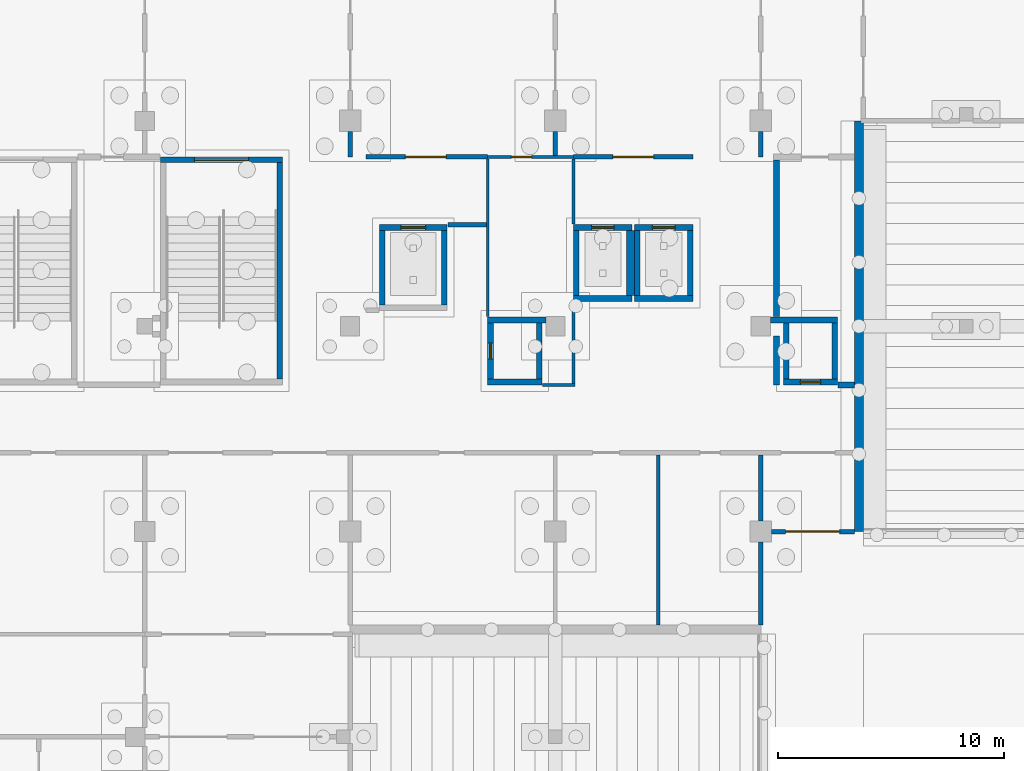
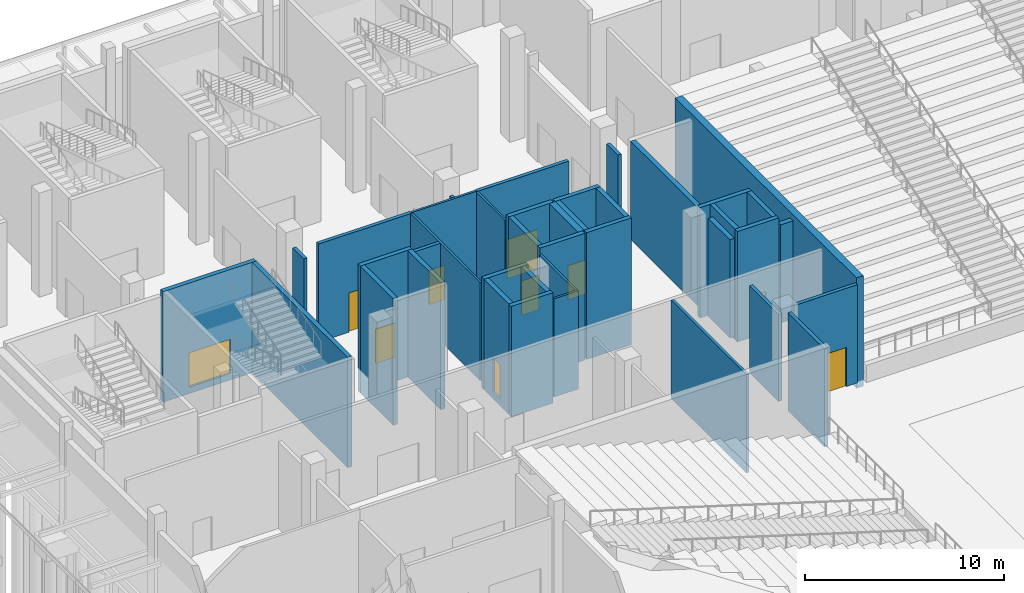
# One storey, part 77 of 129: 40 walls, 10 doors, 10 openings.
"""IFC4 building model written with IfcOpenShell, lengths in metres."""

from ifc_helpers import new_model, si_unit, direction, frame, frame_2d, origin, place, context, subcontext, project, spatial, rectangle, extrude, material, layer, layer_set, type_object, element, fill, save


model = new_model("IFC4")

# Units and contexts
model_context = context("Model", 3, precision=1e-05, world=origin(), true_north=direction((0.0, 1.0)))
body_context = subcontext(model_context, "Body", "Model", "MODEL_VIEW")
ifc_project = project(units=[si_unit("LENGTHUNIT", "METRE"), si_unit("AREAUNIT", "SQUARE_METRE"), si_unit("VOLUMEUNIT", "CUBIC_METRE"), si_unit("PLANEANGLEUNIT", "RADIAN"), si_unit("MASSUNIT", "GRAM", prefix="KILO")], contexts=[model_context])

# Site, building, storey
site_placement = place(None, origin())
site = spatial("IfcSite", under=ifc_project, at=site_placement, CompositionType="ELEMENT")
building_placement = place(site_placement, origin())
building = spatial("IfcBuilding", under=site, at=building_placement, Name="Shirokan Park Arena", CompositionType="ELEMENT")
storey_placement = place(building_placement, origin())
storey = spatial("IfcBuildingStorey", under=building, at=storey_placement, Name="L00", CompositionType="ELEMENT", Elevation=0.0)

# Walls
ifc_material_1 = material(Name="Gypsum board")
ifc_layer_1 = layer(ifc_material_1, 0.02490234375, Name="Gypsum board, two layers")
ifc_material_2 = material(Name="Mineral wool insulation")
ifc_layer_2 = layer(ifc_material_2, 0.14990234375, Name="Mineral wool insulation")
ifc_layer_3 = layer(ifc_material_1, 0.02490234375, Name="Gypsum board, two layers")
ifc_layer_set_1 = layer_set([ifc_layer_1, ifc_layer_2, ifc_layer_3], Name="Gypsum board, two layers + Mineral wool insulation")
wall_type_1 = type_object("IfcWallType", Name="Corridor wall 200", PredefinedType="PARTITIONING", material=ifc_layer_set_1)
wall_1_placement = place(storey_placement, frame((18.199951171875, 90.52490234375, 0.0), z_axis=(0.0, 0.0, 1.0), x_axis=(0.0, -1.0, 0.0)))
element("IfcWall", 1, at=wall_1_placement, inside=storey, type_object=wall_type_1, Name="Corridor wall 200 L00", PredefinedType="PARTITIONING", context=body_context, shape_type="SweptSolid", body=[
    extrude(rectangle(XDim=1.125, YDim=0.199951171875, at=frame_2d((0.5625, 0.0))), origin(), (0.0, 0.0, 1.0), 5.320068359375),
])
wall_2_placement = place(storey_placement, frame((24.237548828125, 86.39990234375, 0.0), z_axis=(0.0, 0.0, 1.0), x_axis=(-1.0, 0.0, 0.0)))
element("IfcWall", 2, at=wall_2_placement, inside=storey, type_object=wall_type_1, Name="Corridor wall 200 L00", PredefinedType="PARTITIONING", context=body_context, shape_type="SweptSolid", body=[
    extrude(rectangle(XDim=1.70751953125, YDim=0.199951171875, at=frame_2d((0.853759765625, 0.0))), origin(), (0.0, 0.0, 1.0), 6.02001953125),
])

# Wall, opening, door
wall_3_placement = place(storey_placement, frame((24.300048828125, 89.39990234375, 0.0), z_axis=(0.0, 0.0, 1.0), x_axis=(-1.0, 0.0, 0.0)))
wall_3 = element("IfcWall", 3, at=wall_3_placement, inside=storey, type_object=wall_type_1, Name="Corridor wall 200 L00", PredefinedType="PARTITIONING", context=body_context, shape_type="SweptSolid", body=[
    extrude(rectangle(XDim=5.400146484375, YDim=0.199951171875, at=frame_2d((2.7001953125, 0.0))), origin(), (0.0, 0.0, 1.0), 6.02001953125),
])
opening_1_placement = place(wall_3_placement, frame((1.85009765625, 0.0, 0.0)))
opening_1 = element("IfcOpeningElement", 4, at=opening_1_placement, cuts=wall_3, Name="Opening D-0097", PredefinedType="OPENING", context=body_context, shape_type="SweptSolid", body=[
    extrude(rectangle(XDim=1.800048828125, YDim=2.39990234375, at=frame_2d((0.89990234375, 1.199951171875))), frame((0.0, 0.10986328125, 0.0), z_axis=(0.0, -1.0, 0.0), x_axis=(1.0, 0.0, 0.0)), (0.0, 0.0, 1.0), 0.219970703125),
])
ifc_material_3 = material(Name="Glazed steel door set, fire resisting", Category="steel")
door_type_1 = type_object("IfcDoorType", Name="Lift lobby door 1800 x 2400", OperationType="DOUBLE_DOOR_SINGLE_SWING", PredefinedType="DOOR", material=ifc_material_3)
door_1_placement = place(opening_1_placement, origin())
door_1 = element("IfcDoor", 5, at=door_1_placement, inside=storey, type_object=door_type_1, Name="Door between Team Foyer 4.0.3 and Service Lift Lobby 4.0 D-0097", OperationType="DOUBLE_DOOR_SINGLE_SWING", OverallHeight=2.39990234375, OverallWidth=1.800048828125, PredefinedType="DOOR", context=body_context, shape_type="SweptSolid", body=[
    extrude(rectangle(XDim=1.800048828125, YDim=2.39990234375, at=frame_2d((0.89990234375, 1.199951171875))), frame((0.0, 0.02490234375, 0.0), z_axis=(0.0, -1.0, 0.0), x_axis=(1.0, 0.0, 0.0)), (0.0, 0.0, 1.0), 0.050048828125),
])
fill(opening_1, door_1)

# Wall
wall_4_placement = place(storey_placement, frame((27.300048828125, 90.52490234375, 0.0), z_axis=(0.0, 0.0, 1.0), x_axis=(0.0, -1.0, 0.0)))
element("IfcWall", 6, at=wall_4_placement, inside=storey, type_object=wall_type_1, Name="Corridor wall 200 L00", PredefinedType="PARTITIONING", context=body_context, shape_type="SweptSolid", body=[
    extrude(rectangle(XDim=1.0625, YDim=0.199951171875, at=frame_2d((0.53125, 0.0))), origin(), (0.0, 0.0, 1.0), 5.320068359375),
])

# Wall, opening, door
wall_5_placement = place(storey_placement, frame((33.39990234375, 89.39990234375, 0.0), z_axis=(0.0, 0.0, 1.0), x_axis=(-1.0, 0.0, 0.0)))
wall_5 = element("IfcWall", 7, at=wall_5_placement, inside=storey, type_object=wall_type_1, Name="Corridor wall 200 L00", PredefinedType="PARTITIONING", context=body_context, shape_type="SweptSolid", body=[
    extrude(rectangle(XDim=5.2998046875, YDim=0.199951171875, at=frame_2d((2.64990234375, 0.0))), origin(), (0.0, 0.0, 1.0), 6.02001953125),
])
opening_2_placement = place(wall_5_placement, frame((1.75, 0.0, 0.0)))
opening_2 = element("IfcOpeningElement", 8, at=opening_2_placement, cuts=wall_5, Name="Opening D-0100", PredefinedType="OPENING", context=body_context, shape_type="SweptSolid", body=[
    extrude(rectangle(XDim=1.800048828125, YDim=2.39990234375, at=frame_2d((0.89990234375, 1.199951171875))), frame((0.0, 0.10986328125, 0.0), z_axis=(0.0, -1.0, 0.0), x_axis=(1.0, 0.0, 0.0)), (0.0, 0.0, 1.0), 0.219970703125),
])
door_2_placement = place(opening_2_placement, origin())
door_2 = element("IfcDoor", 9, at=door_2_placement, inside=storey, type_object=door_type_1, Name="Door between Players Lounge 4.0.4 and Lift Lobby 4.0 D-0100", OperationType="DOUBLE_DOOR_SINGLE_SWING", OverallHeight=2.39990234375, OverallWidth=1.800048828125, PredefinedType="DOOR", context=body_context, shape_type="SweptSolid", body=[
    extrude(rectangle(XDim=1.800048828125, YDim=2.39990234375, at=frame_2d((0.89990234375, 1.199951171875))), frame((0.0, 0.02490234375, 0.0), z_axis=(0.0, -1.0, 0.0), x_axis=(1.0, 0.0, 0.0)), (0.0, 0.0, 1.0), 0.050048828125),
])
fill(opening_2, door_2)

# Walls
wall_6_placement = place(storey_placement, frame((36.39990234375, 72.324951171875, 0.0), z_axis=(0.0, 0.0, 1.0), x_axis=(0.0, -1.0, 0.0)))
element("IfcWall", 10, at=wall_6_placement, inside=storey, type_object=wall_type_1, Name="Corridor wall 200 L00", PredefinedType="PARTITIONING", context=body_context, shape_type="SweptSolid", body=[
    extrude(rectangle(XDim=3.675048828125, YDim=0.199951171875, at=frame_2d((1.83740234375, 0.0))), origin(), (0.0, 0.0, 1.0), 6.02001953125),
])
wall_7_placement = place(storey_placement, frame((36.39990234375, 76.199951171875, 0.0), z_axis=(0.0, 0.0, 1.0), x_axis=(0.0, -1.0, 0.0)))
element("IfcWall", 11, at=wall_7_placement, inside=storey, type_object=wall_type_1, Name="Corridor wall 200 L00", PredefinedType="PARTITIONING", context=body_context, shape_type="SweptSolid", body=[
    extrude(rectangle(XDim=2.925048828125, YDim=0.199951171875, at=frame_2d((1.46240234375, 0.0))), origin(), (0.0, 0.0, 1.0), 5.320068359375),
])
wall_8_placement = place(storey_placement, frame((36.39990234375, 90.52490234375, 0.0), z_axis=(0.0, 0.0, 1.0), x_axis=(0.0, -1.0, 0.0)))
element("IfcWall", 12, at=wall_8_placement, inside=storey, type_object=wall_type_1, Name="Corridor wall 200 L00", PredefinedType="PARTITIONING", context=body_context, shape_type="SweptSolid", body=[
    extrude(rectangle(XDim=1.125, YDim=0.199951171875, at=frame_2d((0.5625, 0.0))), origin(), (0.0, 0.0, 1.0), 5.320068359375),
])

# Wall, opening, door
wall_9_placement = place(storey_placement, frame((40.550048828125, 72.800048828125, 0.0), z_axis=(0.0, 0.0, 1.0), x_axis=(-1.0, 0.0, 0.0)))
wall_9 = element("IfcWall", 13, at=wall_9_placement, inside=storey, type_object=wall_type_1, Name="Corridor wall 200 L00", PredefinedType="PARTITIONING", context=body_context, shape_type="SweptSolid", body=[
    extrude(rectangle(XDim=3.675048828125, YDim=0.199951171875, at=frame_2d((1.83740234375, 0.0))), origin(), (0.0, 0.0, 1.0), 6.02001953125),
])
opening_3_placement = place(wall_9_placement, frame((0.64990234375, 0.0, 0.0)))
opening_3 = element("IfcOpeningElement", 14, at=opening_3_placement, cuts=wall_9, Name="Opening D-0090", PredefinedType="OPENING", context=body_context, shape_type="SweptSolid", body=[
    extrude(rectangle(XDim=2.39990234375, YDim=2.39990234375, at=frame_2d((1.199951171875, 1.199951171875))), frame((0.0, 0.10986328125, 0.0), z_axis=(0.0, -1.0, 0.0), x_axis=(1.0, 0.0, 0.0)), (0.0, 0.0, 1.0), 0.219970703125),
])
ifc_material_4 = material(Name="Steel door set, fire resisting", Category="steel")
door_type_2 = type_object("IfcDoorType", Name="Double door 2400 x 2400", OperationType="DOUBLE_DOOR_SINGLE_SWING", PredefinedType="DOOR", material=ifc_material_4)
door_3_placement = place(opening_3_placement, origin())
door_3 = element("IfcDoor", 15, at=door_3_placement, inside=storey, type_object=door_type_2, Name="Door between Floor Access Passage 4 and Team Corridor 4.0 D-0090", OperationType="DOUBLE_DOOR_SINGLE_SWING", OverallHeight=2.39990234375, OverallWidth=2.39990234375, PredefinedType="DOOR", context=body_context, shape_type="SweptSolid", body=[
    extrude(rectangle(XDim=2.39990234375, YDim=2.39990234375, at=frame_2d((1.199951171875, 1.199951171875))), frame((0.0, 0.02490234375, 0.0), z_axis=(0.0, -1.0, 0.0), x_axis=(1.0, 0.0, 0.0)), (0.0, 0.0, 1.0), 0.050048828125),
])
fill(opening_3, door_3)

# Walls
ifc_material_5 = material(Name="Plaster")
ifc_layer_4 = layer(ifc_material_5, 0.012451171875, Name="Plaster")
ifc_material_6 = material(Name="Concrete blockwork", Category="masonry")
ifc_layer_5 = layer(ifc_material_6, 0.25, Name="Concrete blockwork 250")
ifc_layer_6 = layer(ifc_material_5, 0.012451171875, Name="Plaster")
ifc_layer_set_2 = layer_set([ifc_layer_4, ifc_layer_5, ifc_layer_6], Name="Plaster + Concrete blockwork 250")
wall_type_2 = type_object("IfcWallType", Name="Plant room wall 275", PredefinedType="SOLIDWALL", material=ifc_layer_set_2)
wall_10_placement = place(storey_placement, frame((37.10009765625, 81.47509765625, 0.0), z_axis=(0.0, 0.0, 1.0), x_axis=(0.0, -1.0, 0.0)))
element("IfcWall", 16, at=wall_10_placement, inside=storey, type_object=wall_type_2, Name="Plant room wall 275 L00", PredefinedType="SOLIDWALL", context=body_context, shape_type="SweptSolid", body=[
    extrude(rectangle(XDim=2.175048828125, YDim=0.27490234375, at=frame_2d((1.08740234375, 0.0))), origin(), (0.0, 0.0, 1.0), 6.02001953125),
])
wall_11_placement = place(storey_placement, frame((37.10009765625, 89.262451171875, 0.0), z_axis=(0.0, 0.0, 1.0), x_axis=(0.0, -1.0, 0.0)))
element("IfcWall", 17, at=wall_11_placement, inside=storey, type_object=wall_type_2, Name="Plant room wall 275 L00", PredefinedType="SOLIDWALL", context=body_context, shape_type="SweptSolid", body=[
    extrude(rectangle(XDim=6.9375, YDim=0.27490234375, at=frame_2d((3.46875, 0.0))), origin(), (0.0, 0.0, 1.0), 6.02001953125),
])
wall_12_placement = place(storey_placement, frame((40.550048828125, 79.300048828125, 0.0), z_axis=(0.0, 0.0, 1.0), x_axis=(-1.0, 0.0, 0.0)))
element("IfcWall", 18, at=wall_12_placement, inside=storey, type_object=wall_type_2, Name="Plant room wall 275 L00", PredefinedType="SOLIDWALL", context=body_context, shape_type="SweptSolid", body=[
    extrude(rectangle(XDim=0.719970703125, YDim=0.27490234375, at=frame_2d((0.35986328125, 0.0))), origin(), (0.0, 0.0, 1.0), 6.02001953125),
])
ifc_material_7 = material(Name="Concrete C35", Category="concrete")
ifc_layer_7 = layer(ifc_material_7, 0.39990234375)
ifc_layer_set_3 = layer_set([ifc_layer_7], Name="Concrete C35 400 mm")
wall_type_3 = type_object("IfcWallType", Name="RC flank wall 400", PredefinedType="SHEAR", material=ifc_layer_set_3)
wall_13_placement = place(storey_placement, frame((40.75, 72.800048828125, -0.39990234375), z_axis=(0.0, 0.0, 1.0), x_axis=(0.0, 1.0, 0.0)))
element("IfcWall", 19, at=wall_13_placement, inside=storey, type_object=wall_type_3, Name="Flank wall N1 L00", PredefinedType="SHEAR", context=body_context, shape_type="SweptSolid", body=[
    extrude(rectangle(XDim=18.199951171875, YDim=0.39990234375, at=frame_2d((9.10009765625, 0.0))), origin(), (0.0, 0.0, 1.0), 6.77001953125),
])
ifc_material_8 = material(Name="Concrete C40/50", Category="concrete")
ifc_layer_8 = layer(ifc_material_8, 0.25)
ifc_layer_set_4 = layer_set([ifc_layer_8], Name="Concrete C40/50 250 mm")
wall_type_4 = type_object("IfcWallType", Name="RC shear wall 250", PredefinedType="SHEAR", material=ifc_layer_set_4)
wall_14_placement = place(storey_placement, frame((30.699951171875, 83.125, -1.39990234375), z_axis=(0.0, 0.0, 1.0), x_axis=(-1.0, 0.0, 0.0)))
element("IfcWall", 20, at=wall_14_placement, inside=storey, type_object=wall_type_4, Name="Shaft wall Passenger Lift 4.1 S L00", PredefinedType="SHEAR", context=body_context, shape_type="SweptSolid", body=[
    extrude(rectangle(XDim=2.599853515625, YDim=0.25, at=frame_2d((1.2998046875, 0.0))), origin(), (0.0, 0.0, 1.0), 7.77001953125),
])

# Wall, opening, door
wall_15_placement = place(storey_placement, frame((30.699951171875, 86.27490234375, -1.39990234375), z_axis=(0.0, 0.0, 1.0), x_axis=(-1.0, 0.0, 0.0)))
wall_15 = element("IfcWall", 21, at=wall_15_placement, inside=storey, type_object=wall_type_4, Name="Shaft wall Passenger Lift 4.1 N L00", PredefinedType="SHEAR", context=body_context, shape_type="SweptSolid", body=[
    extrude(rectangle(XDim=2.599853515625, YDim=0.25, at=frame_2d((1.2998046875, 0.0))), origin(), (0.0, 0.0, 1.0), 7.77001953125),
])
opening_4_placement = place(wall_15_placement, frame((0.800048828125, 0.0, 1.39990234375)))
opening_4 = element("IfcOpeningElement", 22, at=opening_4_placement, cuts=wall_15, Name="Opening LD37", PredefinedType="OPENING", context=body_context, shape_type="SweptSolid", body=[
    extrude(rectangle(XDim=1.0, YDim=2.10009765625, at=frame_2d((0.5, 1.050048828125))), frame((0.0, 0.135009765625, 0.0), z_axis=(0.0, -1.0, 0.0), x_axis=(1.0, 0.0, 0.0)), (0.0, 0.0, 1.0), 0.27001953125),
])
ifc_material_9 = material(Name="Stainless steel", Category="steel")
door_type_3 = type_object("IfcDoorType", Name="Lift landing door 1000x2100", OperationType="DOUBLE_DOOR_SLIDING", PredefinedType="DOOR", material=ifc_material_9)
door_4_placement = place(opening_4_placement, origin())
door_4 = element("IfcDoor", 23, at=door_4_placement, inside=storey, type_object=door_type_3, Name="Lift landing door Passenger Lift 4.1 L00", OperationType="DOUBLE_DOOR_SLIDING", OverallHeight=2.10009765625, OverallWidth=1.0, PredefinedType="DOOR", context=body_context, shape_type="SweptSolid", body=[
    extrude(rectangle(XDim=1.0, YDim=2.10009765625, at=frame_2d((0.5, 1.050048828125))), frame((0.0, 0.02490234375, 0.0), z_axis=(0.0, -1.0, 0.0), x_axis=(1.0, 0.0, 0.0)), (0.0, 0.0, 1.0), 0.050048828125),
])
fill(opening_4, door_4)

# Walls
wall_16_placement = place(storey_placement, frame((28.22509765625, 86.14990234375, -1.39990234375), z_axis=(0.0, 0.0, 1.0), x_axis=(0.0, -1.0, 0.0)))
element("IfcWall", 24, at=wall_16_placement, inside=storey, type_object=wall_type_4, Name="Shaft wall Passenger Lift 4.1 W L00", PredefinedType="SHEAR", context=body_context, shape_type="SweptSolid", body=[
    extrude(rectangle(XDim=2.89990234375, YDim=0.25, at=frame_2d((1.449951171875, 0.0))), origin(), (0.0, 0.0, 1.0), 7.77001953125),
])
wall_17_placement = place(storey_placement, frame((33.39990234375, 83.125, -1.39990234375), z_axis=(0.0, 0.0, 1.0), x_axis=(-1.0, 0.0, 0.0)))
element("IfcWall", 25, at=wall_17_placement, inside=storey, type_object=wall_type_4, Name="Shaft wall Passenger Lift 4.2 S L00", PredefinedType="SHEAR", context=body_context, shape_type="SweptSolid", body=[
    extrude(rectangle(XDim=2.599853515625, YDim=0.25, at=frame_2d((1.2998046875, 0.0))), origin(), (0.0, 0.0, 1.0), 7.77001953125),
])

# Wall, opening, door
wall_18_placement = place(storey_placement, frame((33.39990234375, 86.27490234375, -1.39990234375), z_axis=(0.0, 0.0, 1.0), x_axis=(-1.0, 0.0, 0.0)))
wall_18 = element("IfcWall", 26, at=wall_18_placement, inside=storey, type_object=wall_type_4, Name="Shaft wall Passenger Lift 4.2 N L00", PredefinedType="SHEAR", context=body_context, shape_type="SweptSolid", body=[
    extrude(rectangle(XDim=2.599853515625, YDim=0.25, at=frame_2d((1.2998046875, 0.0))), origin(), (0.0, 0.0, 1.0), 7.77001953125),
])
opening_5_placement = place(wall_18_placement, frame((0.800048828125, 0.0, 1.39990234375)))
opening_5 = element("IfcOpeningElement", 27, at=opening_5_placement, cuts=wall_18, Name="Opening LD43", PredefinedType="OPENING", context=body_context, shape_type="SweptSolid", body=[
    extrude(rectangle(XDim=1.0, YDim=2.10009765625, at=frame_2d((0.5, 1.050048828125))), frame((0.0, 0.135009765625, 0.0), z_axis=(0.0, -1.0, 0.0), x_axis=(1.0, 0.0, 0.0)), (0.0, 0.0, 1.0), 0.27001953125),
])
door_5_placement = place(opening_5_placement, origin())
door_5 = element("IfcDoor", 28, at=door_5_placement, inside=storey, type_object=door_type_3, Name="Lift landing door Passenger Lift 4.2 L00", OperationType="DOUBLE_DOOR_SLIDING", OverallHeight=2.10009765625, OverallWidth=1.0, PredefinedType="DOOR", context=body_context, shape_type="SweptSolid", body=[
    extrude(rectangle(XDim=1.0, YDim=2.10009765625, at=frame_2d((0.5, 1.050048828125))), frame((0.0, 0.02490234375, 0.0), z_axis=(0.0, -1.0, 0.0), x_axis=(1.0, 0.0, 0.0)), (0.0, 0.0, 1.0), 0.050048828125),
])
fill(opening_5, door_5)

# Walls
for number, where, z_axis, x_axis, name in (
    (29, (30.925048828125, 86.14990234375, -1.39990234375), (0.0, 0.0, 1.0), (0.0, -1.0, 0.0), "Shaft wall Passenger Lift 4.2 W L00"),
    (30, (33.27490234375, 86.14990234375, -1.39990234375), (0.0, 0.0, 1.0), (0.0, -1.0, 0.0), "Shaft wall Passenger Lift 4.2 E L00"),
):
    element("IfcWall", number, at=place(storey_placement, frame(where, z_axis=z_axis, x_axis=x_axis)), inside=storey, type_object=wall_type_4, Name=name, PredefinedType="SHEAR", context=body_context, shape_type="SweptSolid", body=[
        extrude(rectangle(XDim=2.89990234375, YDim=0.25, at=frame_2d((1.449951171875, 0.0))), origin(), (0.0, 0.0, 1.0), 7.77001953125),
    ])

# Wall, opening, door
wall_19_placement = place(storey_placement, frame((39.800048828125, 79.425048828125, -0.39990234375), z_axis=(0.0, 0.0, 1.0), x_axis=(-1.0, 0.0, 0.0)))
wall_19 = element("IfcWall", 31, at=wall_19_placement, inside=storey, type_object=wall_type_4, Name="Shaft wall Services Riser 4.1 S L00", PredefinedType="SHEAR", context=body_context, shape_type="SweptSolid", body=[
    extrude(rectangle(XDim=2.400146484375, YDim=0.25, at=frame_2d((1.2001953125, 0.0))), origin(), (0.0, 0.0, 1.0), 6.77001953125),
])
opening_6_placement = place(wall_19_placement, frame((0.75, 0.0, 0.39990234375)))
opening_6 = element("IfcOpeningElement", 32, at=opening_6_placement, cuts=wall_19, Name="Opening D-0171", PredefinedType="OPENING", context=body_context, shape_type="SweptSolid", body=[
    extrude(rectangle(XDim=0.89990234375, YDim=2.10009765625, at=frame_2d((0.449951171875, 1.050048828125))), frame((0.0, 0.135009765625, 0.0), z_axis=(0.0, -1.0, 0.0), x_axis=(1.0, 0.0, 0.0)), (0.0, 0.0, 1.0), 0.27001953125),
])
door_type_4 = type_object("IfcDoorType", Name="Electrical riser door 900 x 2100", OperationType="SINGLE_SWING_LEFT", PredefinedType="DOOR", material=ifc_material_4)
door_6_placement = place(opening_6_placement, origin())
door_6 = element("IfcDoor", 33, at=door_6_placement, inside=storey, type_object=door_type_4, Name="Riser access door Services Riser 4.1 D-0171", OperationType="SINGLE_SWING_RIGHT", OverallHeight=2.10009765625, OverallWidth=0.89990234375, PredefinedType="DOOR", context=body_context, shape_type="SweptSolid", body=[
    extrude(rectangle(XDim=0.89990234375, YDim=2.10009765625, at=frame_2d((0.449951171875, 1.050048828125))), frame((0.0, 0.02490234375, 0.0), z_axis=(0.0, -1.0, 0.0), x_axis=(1.0, 0.0, 0.0)), (0.0, 0.0, 1.0), 0.050048828125),
])
fill(opening_6, door_6)

# Walls
wall_20_placement = place(storey_placement, frame((39.800048828125, 82.175048828125, -0.39990234375), z_axis=(0.0, 0.0, 1.0), x_axis=(-1.0, 0.0, 0.0)))
element("IfcWall", 34, at=wall_20_placement, inside=storey, type_object=wall_type_4, Name="Shaft wall Services Riser 4.1 N L00", PredefinedType="SHEAR", context=body_context, shape_type="SweptSolid", body=[
    extrude(rectangle(XDim=2.97509765625, YDim=0.25, at=frame_2d((1.487548828125, 0.0))), origin(), (0.0, 0.0, 1.0), 6.77001953125),
])
for number, where, z_axis, x_axis, name in (
    (35, (37.52490234375, 82.050048828125, -0.39990234375), (0.0, 0.0, 1.0), (0.0, -1.0, 0.0), "Shaft wall Services Riser 4.1 W L00"),
    (36, (39.675048828125, 82.050048828125, -0.39990234375), (0.0, 0.0, 1.0), (0.0, -1.0, 0.0), "Shaft wall Services Riser 4.1 E L00"),
):
    element("IfcWall", number, at=place(storey_placement, frame(where, z_axis=z_axis, x_axis=x_axis)), inside=storey, type_object=wall_type_4, Name=name, PredefinedType="SHEAR", context=body_context, shape_type="SweptSolid", body=[
        extrude(rectangle(XDim=2.5, YDim=0.25, at=frame_2d((1.25, 0.0))), origin(), (0.0, 0.0, 1.0), 6.77001953125),
    ])
wall_21_placement = place(storey_placement, frame((26.699951171875, 79.425048828125, -0.39990234375), z_axis=(0.0, 0.0, 1.0), x_axis=(-1.0, 0.0, 0.0)))
element("IfcWall", 37, at=wall_21_placement, inside=storey, type_object=wall_type_4, Name="Shaft wall Services Riser 4.2 S L00", PredefinedType="SHEAR", context=body_context, shape_type="SweptSolid", body=[
    extrude(rectangle(XDim=2.39990234375, YDim=0.25, at=frame_2d((1.199951171875, 0.0))), origin(), (0.0, 0.0, 1.0), 6.77001953125),
])
wall_22_placement = place(storey_placement, frame((26.875, 82.175048828125, -0.39990234375), z_axis=(0.0, 0.0, 1.0), x_axis=(-1.0, 0.0, 0.0)))
element("IfcWall", 38, at=wall_22_placement, inside=storey, type_object=wall_type_4, Name="Shaft wall Services Riser 4.2 N L00", PredefinedType="SHEAR", context=body_context, shape_type="SweptSolid", body=[
    extrude(rectangle(XDim=2.574951171875, YDim=0.25, at=frame_2d((1.28759765625, 0.0))), origin(), (0.0, 0.0, 1.0), 6.77001953125),
])

# Wall, opening, door
wall_23_placement = place(storey_placement, frame((24.425048828125, 82.050048828125, -0.39990234375), z_axis=(0.0, 0.0, 1.0), x_axis=(0.0, -1.0, 0.0)))
wall_23 = element("IfcWall", 39, at=wall_23_placement, inside=storey, type_object=wall_type_4, Name="Shaft wall Services Riser 4.2 W L00", PredefinedType="SHEAR", context=body_context, shape_type="SweptSolid", body=[
    extrude(rectangle(XDim=2.5, YDim=0.25, at=frame_2d((1.25, 0.0))), origin(), (0.0, 0.0, 1.0), 6.77001953125),
])
opening_7_placement = place(wall_23_placement, frame((0.89990234375, 0.0, 0.39990234375)))
opening_7 = element("IfcOpeningElement", 40, at=opening_7_placement, cuts=wall_23, Name="Opening D-0172", PredefinedType="OPENING", context=body_context, shape_type="SweptSolid", body=[
    extrude(rectangle(XDim=0.699951171875, YDim=2.10009765625, at=frame_2d((0.35009765625, 1.050048828125))), frame((0.0, 0.135009765625, 0.0), z_axis=(0.0, -1.0, 0.0), x_axis=(1.0, 0.0, 0.0)), (0.0, 0.0, 1.0), 0.27001953125),
])
door_type_5 = type_object("IfcDoorType", Name="Mechanical riser door 700 x 2100", OperationType="SINGLE_SWING_LEFT", PredefinedType="DOOR", material=ifc_material_4)
door_7_placement = place(opening_7_placement, origin())
door_7 = element("IfcDoor", 41, at=door_7_placement, inside=storey, type_object=door_type_5, Name="Riser access door Services Riser 4.2 D-0172", OperationType="SINGLE_SWING_LEFT", OverallHeight=2.10009765625, OverallWidth=0.699951171875, PredefinedType="DOOR", context=body_context, shape_type="SweptSolid", body=[
    extrude(rectangle(XDim=0.699951171875, YDim=2.10009765625, at=frame_2d((0.35009765625, 1.050048828125))), frame((0.0, 0.02490234375, 0.0), z_axis=(0.0, -1.0, 0.0), x_axis=(1.0, 0.0, 0.0)), (0.0, 0.0, 1.0), 0.050048828125),
])
fill(opening_7, door_7)

# Wall
wall_24_placement = place(storey_placement, frame((26.574951171875, 82.050048828125, -0.39990234375), z_axis=(0.0, 0.0, 1.0), x_axis=(0.0, -1.0, 0.0)))
element("IfcWall", 42, at=wall_24_placement, inside=storey, type_object=wall_type_4, Name="Shaft wall Services Riser 4.2 E L00", PredefinedType="SHEAR", context=body_context, shape_type="SweptSolid", body=[
    extrude(rectangle(XDim=2.5, YDim=0.25, at=frame_2d((1.25, 0.0))), origin(), (0.0, 0.0, 1.0), 6.77001953125),
])

# Wall, opening, door
wall_25_placement = place(storey_placement, frame((22.5, 86.27490234375, -1.39990234375), z_axis=(0.0, 0.0, 1.0), x_axis=(-1.0, 0.0, 0.0)))
wall_25 = element("IfcWall", 43, at=wall_25_placement, inside=storey, type_object=wall_type_4, Name="Shaft wall Service Lift 4 N L00", PredefinedType="SHEAR", context=body_context, shape_type="SweptSolid", body=[
    extrude(rectangle(XDim=3.0, YDim=0.25, at=frame_2d((1.5, 0.0))), origin(), (0.0, 0.0, 1.0), 7.77001953125),
])
opening_8_placement = place(wall_25_placement, frame((0.949951171875, 0.0, 1.39990234375)))
opening_8 = element("IfcOpeningElement", 44, at=opening_8_placement, cuts=wall_25, Name="Opening LD70", PredefinedType="OPENING", context=body_context, shape_type="SweptSolid", body=[
    extrude(rectangle(XDim=1.10009765625, YDim=2.10009765625, at=frame_2d((0.550048828125, 1.050048828125))), frame((0.0, 0.135009765625, 0.0), z_axis=(0.0, -1.0, 0.0), x_axis=(1.0, 0.0, 0.0)), (0.0, 0.0, 1.0), 0.27001953125),
])
door_type_6 = type_object("IfcDoorType", Name="Lift landing door 1100x2100", OperationType="DOUBLE_DOOR_SLIDING", PredefinedType="DOOR", material=ifc_material_9)
door_8_placement = place(opening_8_placement, origin())
door_8 = element("IfcDoor", 45, at=door_8_placement, inside=storey, type_object=door_type_6, Name="Lift landing door Service Lift 4 L00", OperationType="DOUBLE_DOOR_SLIDING", OverallHeight=2.10009765625, OverallWidth=1.10009765625, PredefinedType="DOOR", context=body_context, shape_type="SweptSolid", body=[
    extrude(rectangle(XDim=1.10009765625, YDim=2.10009765625, at=frame_2d((0.550048828125, 1.050048828125))), frame((0.0, 0.02490234375, 0.0), z_axis=(0.0, -1.0, 0.0), x_axis=(1.0, 0.0, 0.0)), (0.0, 0.0, 1.0), 0.050048828125),
])
fill(opening_8, door_8)

# Walls
for number, where, z_axis, x_axis, name in (
    (46, (19.625, 86.14990234375, -1.39990234375), (0.0, 0.0, 1.0), (0.0, -1.0, 0.0), "Shaft wall Service Lift 4 W L00"),
    (47, (22.375, 86.14990234375, -1.39990234375), (0.0, 0.0, 1.0), (0.0, -1.0, 0.0), "Shaft wall Service Lift 4 E L00"),
):
    element("IfcWall", number, at=place(storey_placement, frame(where, z_axis=z_axis, x_axis=x_axis)), inside=storey, type_object=wall_type_4, Name=name, PredefinedType="SHEAR", context=body_context, shape_type="SweptSolid", body=[
        extrude(rectangle(XDim=3.2998046875, YDim=0.25, at=frame_2d((1.64990234375, 0.0))), origin(), (0.0, 0.0, 1.0), 7.77001953125),
    ])

# Wall, opening, door
wall_26_placement = place(storey_placement, frame((15.199951171875, 89.27490234375, -0.39990234375), z_axis=(0.0, 0.0, 1.0), x_axis=(-1.0, 0.0, 0.0)))
wall_26 = element("IfcWall", 48, at=wall_26_placement, inside=storey, type_object=wall_type_4, Name="Shaft wall Exit Stair 4.F N L00", PredefinedType="SHEAR", context=body_context, shape_type="SweptSolid", body=[
    extrude(rectangle(XDim=5.39990234375, YDim=0.25, at=frame_2d((2.699951171875, 0.0))), origin(), (0.0, 0.0, 1.0), 6.77001953125),
])
opening_9_placement = place(wall_26_placement, frame((1.5, 0.0, 0.39990234375)))
opening_9 = element("IfcOpeningElement", 49, at=opening_9_placement, cuts=wall_26, Name="Opening D-0187", PredefinedType="OPENING", context=body_context, shape_type="SweptSolid", body=[
    extrude(rectangle(XDim=2.39990234375, YDim=2.10009765625, at=frame_2d((1.199951171875, 1.050048828125))), frame((0.0, 0.135009765625, 0.0), z_axis=(0.0, -1.0, 0.0), x_axis=(1.0, 0.0, 0.0)), (0.0, 0.0, 1.0), 0.27001953125),
])
door_type_7 = type_object("IfcDoorType", Name="Stair door 2400 x 2100", OperationType="DOUBLE_DOOR_SINGLE_SWING", PredefinedType="DOOR", material=ifc_material_4)
door_9_placement = place(opening_9_placement, origin())
door_9 = element("IfcDoor", 50, at=door_9_placement, inside=storey, type_object=door_type_7, Name="Stair door Exit Stair 4.F D-0187", OperationType="DOUBLE_DOOR_SINGLE_SWING", OverallHeight=2.10009765625, OverallWidth=2.39990234375, PredefinedType="DOOR", context=body_context, shape_type="SweptSolid", body=[
    extrude(rectangle(XDim=2.39990234375, YDim=2.10009765625, at=frame_2d((1.199951171875, 1.050048828125))), frame((0.0, 0.02490234375, 0.0), z_axis=(0.0, -1.0, 0.0), x_axis=(1.0, 0.0, 0.0)), (0.0, 0.0, 1.0), 0.050048828125),
])
fill(opening_9, door_9)

# Walls
wall_27_placement = place(storey_placement, frame((15.074951171875, 89.14990234375, -0.39990234375), z_axis=(0.0, 0.0, 1.0), x_axis=(0.0, -1.0, 0.0)))
element("IfcWall", 51, at=wall_27_placement, inside=storey, type_object=wall_type_4, Name="Shaft wall Exit Stair 4.F E L00", PredefinedType="SHEAR", context=body_context, shape_type="SweptSolid", body=[
    extrude(rectangle(XDim=9.599853515625, YDim=0.25, at=frame_2d((4.7998046875, 0.0))), origin(), (0.0, 0.0, 1.0), 6.77001953125),
])
ifc_layer_9 = layer(ifc_material_8, 0.35009765625)
ifc_layer_set_5 = layer_set([ifc_layer_9], Name="Concrete C40/50 350 mm")
wall_type_5 = type_object("IfcWallType", Name="RC shear wall 350", PredefinedType="SHEAR", material=ifc_layer_set_5)
wall_28_placement = place(storey_placement, frame((30.625, 86.14990234375, -1.39990234375), z_axis=(0.0, 0.0, 1.0), x_axis=(0.0, -1.0, 0.0)))
element("IfcWall", 52, at=wall_28_placement, inside=storey, type_object=wall_type_5, Name="Shaft wall Passenger Lift 4.1 E L00", PredefinedType="SHEAR", context=body_context, shape_type="SweptSolid", body=[
    extrude(rectangle(XDim=2.89990234375, YDim=0.35009765625, at=frame_2d((1.449951171875, 0.0))), origin(), (0.0, 0.0, 1.0), 7.77001953125),
])
ifc_layer_10 = layer(ifc_material_1, 0.012451171875, Name="Gypsum board")
ifc_layer_11 = layer(ifc_material_2, 0.125, Name="Mineral wool insulation")
ifc_layer_12 = layer(ifc_material_1, 0.012451171875, Name="Gypsum board")
ifc_layer_set_6 = layer_set([ifc_layer_10, ifc_layer_11, ifc_layer_12], Name="Gypsum board + Mineral wool insulation")
wall_type_6 = type_object("IfcWallType", Name="Room partition 150", PredefinedType="PARTITIONING", material=ifc_layer_set_6)
wall_29_placement = place(storey_placement, frame((31.85009765625, 76.199951171875, 0.0), z_axis=(0.0, 0.0, 1.0), x_axis=(0.0, -1.0, 0.0)))
element("IfcWall", 53, at=wall_29_placement, inside=storey, type_object=wall_type_6, Name="Room partition 150 L00", PredefinedType="PARTITIONING", context=body_context, shape_type="SweptSolid", body=[
    extrude(rectangle(XDim=7.550048828125, YDim=0.14990234375, at=frame_2d((3.77490234375, 0.0))), origin(), (0.0, 0.0, 1.0), 6.02001953125),
])
ifc_material_10 = material(Name="Ceramic tile")
ifc_layer_13 = layer(ifc_material_10, 0.010009765625, Name="Ceramic tile")
ifc_material_11 = material(Name="Cement board")
ifc_layer_14 = layer(ifc_material_11, 0.012451171875, Name="Cement board")
ifc_layer_15 = layer(ifc_material_2, 0.080078125, Name="Mineral wool insulation")
ifc_layer_16 = layer(ifc_material_11, 0.012451171875, Name="Cement board")
ifc_layer_17 = layer(ifc_material_10, 0.010009765625, Name="Ceramic tile")
ifc_layer_set_7 = layer_set([ifc_layer_13, ifc_layer_14, ifc_layer_15, ifc_layer_16, ifc_layer_17], Name="Ceramic tile + Cement board + Mineral wool insulation")
wall_type_7 = type_object("IfcWallType", Name="Wet-area wall 125", PredefinedType="PARTITIONING", material=ifc_layer_set_7)
wall_30_placement = place(storey_placement, frame((24.300048828125, 82.330078125, 0.0), z_axis=(0.0, 0.0, 1.0), x_axis=(0.0, 1.0, 0.0)))
element("IfcWall", 54, at=wall_30_placement, inside=storey, type_object=wall_type_7, Name="Wet-area wall 125 L00", PredefinedType="PARTITIONING", context=body_context, shape_type="SweptSolid", body=[
    extrude(rectangle(XDim=6.969970703125, YDim=0.125, at=frame_2d((3.48486328125, 0.0))), origin(), (0.0, 0.0, 1.0), 6.02001953125),
])

# Wall, opening, door
wall_31_placement = place(storey_placement, frame((24.300048828125, 89.39990234375, 0.0), z_axis=(0.0, 0.0, 1.0), x_axis=(1.0, 0.0, 0.0)))
wall_31 = element("IfcWall", 55, at=wall_31_placement, inside=storey, type_object=wall_type_7, Name="Wet-area wall 125 L00", PredefinedType="PARTITIONING", context=body_context, shape_type="SweptSolid", body=[
    extrude(rectangle(XDim=3.800048828125, YDim=0.125, at=frame_2d((1.89990234375, 0.0))), origin(), (0.0, 0.0, 1.0), 6.02001953125),
])
opening_10_placement = place(wall_31_placement, frame((1.050048828125, 0.0, 0.0)))
opening_10 = element("IfcOpeningElement", 56, at=opening_10_placement, cuts=wall_31, Name="Opening D-0021", PredefinedType="OPENING", context=body_context, shape_type="SweptSolid", body=[
    extrude(rectangle(XDim=0.89990234375, YDim=2.10009765625, at=frame_2d((0.449951171875, 1.050048828125))), frame((0.0, 0.072509765625, 0.0), z_axis=(0.0, -1.0, 0.0), x_axis=(1.0, 0.0, 0.0)), (0.0, 0.0, 1.0), 0.14501953125),
])
ifc_material_12 = material(Name="Timber door set, fire resisting", Category="wood")
door_type_8 = type_object("IfcDoorType", Name="Door 900 x 2100", OperationType="SINGLE_SWING_LEFT", PredefinedType="DOOR", material=ifc_material_12)
door_10_placement = place(opening_10_placement, origin())
door_10 = element("IfcDoor", 57, at=door_10_placement, inside=storey, type_object=door_type_8, Name="Door to Staff WC 0.48 D-0021", OperationType="SINGLE_SWING_LEFT", OverallHeight=2.10009765625, OverallWidth=0.89990234375, PredefinedType="DOOR", context=body_context, shape_type="SweptSolid", body=[
    extrude(rectangle(XDim=0.89990234375, YDim=2.10009765625, at=frame_2d((0.449951171875, 1.050048828125))), frame((0.0, 0.02490234375, 0.0), z_axis=(0.0, -1.0, 0.0), x_axis=(1.0, 0.0, 0.0)), (0.0, 0.0, 1.0), 0.050048828125),
])
fill(opening_10, door_10)

# Walls
wall_32_placement = place(storey_placement, frame((28.10009765625, 82.969970703125, 0.0), z_axis=(0.0, 0.0, 1.0), x_axis=(0.0, -1.0, 0.0)))
element("IfcWall", 58, at=wall_32_placement, inside=storey, type_object=wall_type_7, Name="Wet-area wall 125 L00", PredefinedType="PARTITIONING", context=body_context, shape_type="SweptSolid", body=[
    extrude(rectangle(XDim=3.607421875, YDim=0.125, at=frame_2d((1.8037109375, 0.0))), origin(), (0.0, 0.0, 1.0), 6.02001953125),
])
wall_33_placement = place(storey_placement, frame((28.10009765625, 89.300048828125, 0.0), z_axis=(0.0, 0.0, 1.0), x_axis=(0.0, -1.0, 0.0)))
element("IfcWall", 59, at=wall_33_placement, inside=storey, type_object=wall_type_7, Name="Wet-area wall 125 L00", PredefinedType="PARTITIONING", context=body_context, shape_type="SweptSolid", body=[
    extrude(rectangle(XDim=2.8701171875, YDim=0.125, at=frame_2d((1.43505859375, 0.0))), origin(), (0.0, 0.0, 1.0), 6.02001953125),
])
wall_34_placement = place(storey_placement, frame((28.16259765625, 79.300048828125, 0.0), z_axis=(0.0, 0.0, 1.0), x_axis=(-1.0, 0.0, 0.0)))
element("IfcWall", 60, at=wall_34_placement, inside=storey, type_object=wall_type_7, Name="Wet-area wall 125 L00", PredefinedType="PARTITIONING", context=body_context, shape_type="SweptSolid", body=[
    extrude(rectangle(XDim=1.4326171875, YDim=0.125, at=frame_2d((0.71630859375, 0.0))), origin(), (0.0, 0.0, 1.0), 6.02001953125),
])

save(model, "model.ifc")
